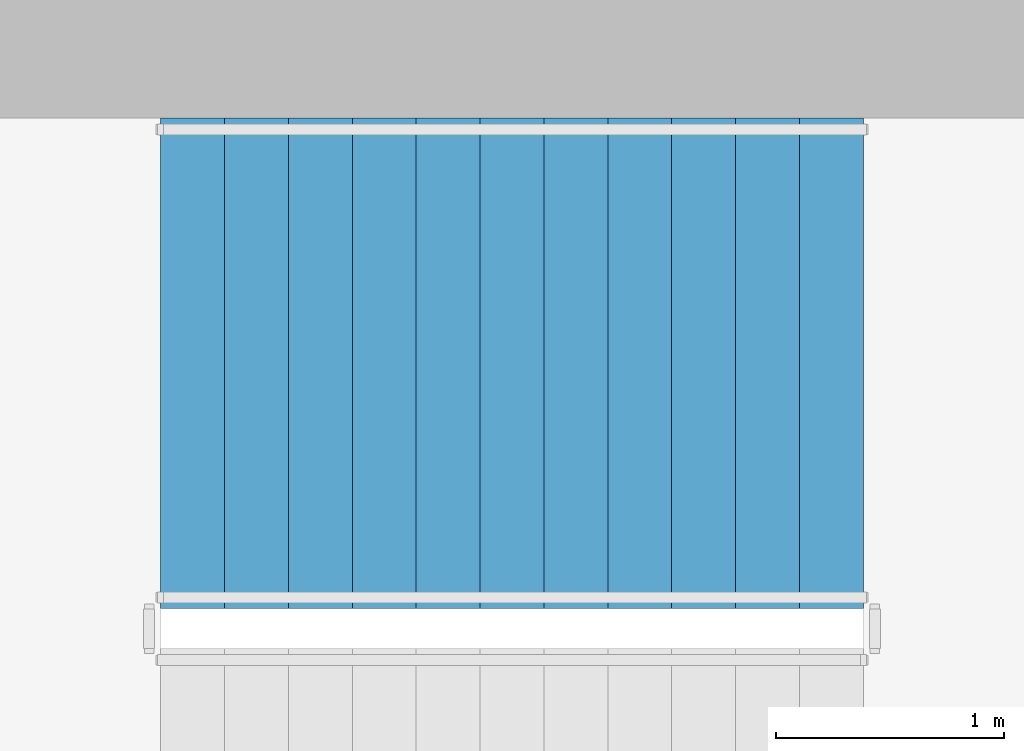
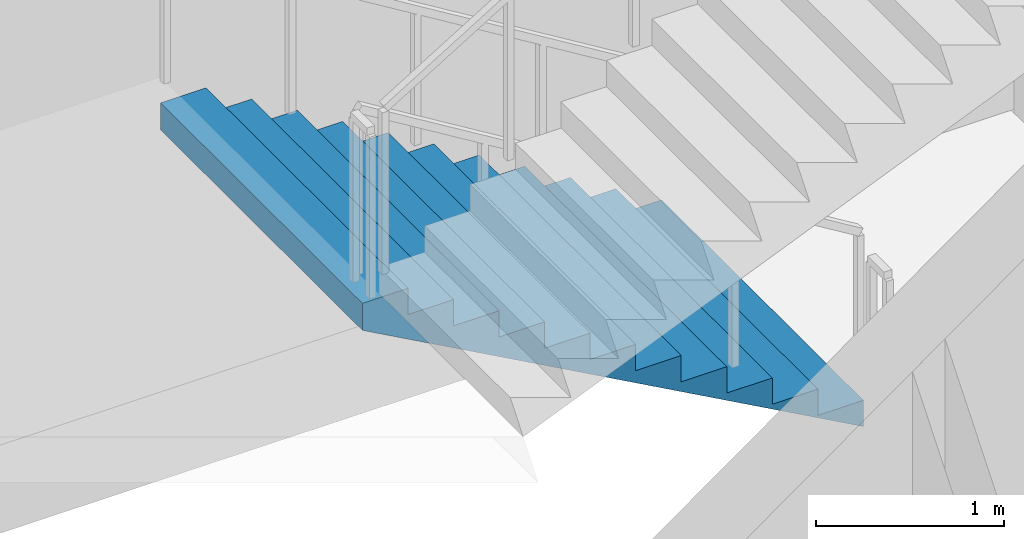
# One storey, part 10 of 15: 1 stair flight, 1 element without a shape of its own.
"""IFC4 building model written with IfcOpenShell, lengths in metres."""

import ifcopenshell
import ifcopenshell.guid

model = None  # the IFC model being written
_history = None  # IfcOwnerHistory: only IFC2X3 demands one
_inside = {}  # id of a spatial element -> (the spatial element, [elements in it])
_under = {}  # id of a project, library or spatial element -> (it, [spatial elements below it])
_declared = {}  # id of a project -> (the project, [libraries it declares])
_typed = {}  # id of a type object -> (the type object, [elements of that type])
_made_of = {}  # id of a material, layer set ... -> (it, [elements and type objects made of it])


def new_model(schema):
    """Start an empty IFC model of exactly this schema.

    Asked for "IFC4X3", IfcOpenShell would pick the latest addendum, in which some entities
    have other attributes; the version numbers below select the first issue.
    IFC2X3 requires an IfcOwnerHistory on every rooted entity: one is made here for all.
    """
    global model, _history
    if schema == "IFC4X3":
        model = ifcopenshell.file(schema_version=(4, 3, 0, 0))
    else:
        model = ifcopenshell.file(schema=schema)
    _inside.clear()
    _under.clear()
    _declared.clear()
    _typed.clear()
    _made_of.clear()
    _history = None
    if model.schema == "IFC2X3":
        org = make("IfcOrganization", Name="unknown")
        user = make(
            "IfcPersonAndOrganization",
            ThePerson=make("IfcPerson", FamilyName="unknown"),
            TheOrganization=org,
        )
        app = make(
            "IfcApplication",
            ApplicationDeveloper=org,
            Version="unknown",
            ApplicationFullName="unknown",
            ApplicationIdentifier="unknown",
        )
        _history = make(
            "IfcOwnerHistory",
            OwningUser=user,
            OwningApplication=app,
            ChangeAction="ADDED",
            CreationDate=0,
        )
    return model


def make(cls, **values):
    """One entity of the class cls with the attributes given. An attribute that is None is left unset."""
    return model.create_entity(
        cls, **{name: value for name, value in values.items() if value is not None}
    )


def rooted(cls, **values):
    """An entity with a GlobalId (a new one), such as an element, a storey or a relation."""
    return make(cls, GlobalId=ifcopenshell.guid.new(), OwnerHistory=_history, **values)


def si_unit(unit_type, name, prefix=None):
    """IfcSIUnit, for example si_unit("LENGTHUNIT", "METRE", prefix="MILLI")."""
    return make("IfcSIUnit", UnitType=unit_type, Prefix=prefix, Name=name)


def assignment(units):
    """IfcUnitAssignment: the units of a project."""
    return None if units is None else make("IfcUnitAssignment", Units=units)


def point(xyz):
    """IfcCartesianPoint."""
    return None if xyz is None else make("IfcCartesianPoint", Coordinates=xyz)


def direction(xyz):
    """IfcDirection."""
    return None if xyz is None else make("IfcDirection", DirectionRatios=xyz)


def frame(location, z_axis=None, x_axis=None):
    """IfcAxis2Placement3D, a coordinate frame: its origin and axes. An axis left out is left unset."""
    return make(
        "IfcAxis2Placement3D",
        Location=point(location),
        Axis=direction(z_axis),
        RefDirection=direction(x_axis),
    )


def origin():
    """The frame at (0, 0, 0) with its axes left unset."""
    return frame((0.0, 0.0, 0.0))


def place(relative_to, where):
    """IfcLocalPlacement: puts the frame where relative to a parent placement (None: the world)."""
    return make(
        "IfcLocalPlacement", PlacementRelTo=relative_to, RelativePlacement=where
    )


def context(
    kind, dimensions, precision=None, world=None, true_north=None, identifier=None
):
    """IfcGeometricRepresentationContext, for example the 3D "Model" context."""
    return make(
        "IfcGeometricRepresentationContext",
        ContextIdentifier=identifier,
        ContextType=kind,
        CoordinateSpaceDimension=dimensions,
        Precision=precision,
        WorldCoordinateSystem=world,
        TrueNorth=true_north,
    )


def subcontext(parent, identifier, kind, view, scale=None):
    """IfcGeometricRepresentationSubContext, for example "Body" below "Model"."""
    return make(
        "IfcGeometricRepresentationSubContext",
        ContextIdentifier=identifier,
        ContextType=kind,
        ParentContext=parent,
        TargetScale=scale,
        TargetView=view,
    )


def project(units=None, contexts=None):
    """IfcProject with its units and contexts."""
    return rooted(
        "IfcProject",
        Name="project",
        RepresentationContexts=contexts,
        UnitsInContext=assignment(units),
    )


def spatial(cls, under=None, at=None, **own):
    """A site, building, storey or space (cls), placed at a placement, below another one or the project."""
    s = rooted(cls, ObjectPlacement=at, **own)
    if under is not None:
        _under.setdefault(under.id(), (under, []))[1].append(s)
    return s


def point_list(points):
    """IfcCartesianPointList2D or 3D."""
    cls = (
        "IfcCartesianPointList2D" if len(points[0]) == 2 else "IfcCartesianPointList3D"
    )
    return make(cls, CoordList=points)


def triangles(points, corners, closed=None, point_numbers=None):
    """IfcTriangulatedFaceSet: each triangle names its three corners, points numbered from 1."""
    return make(
        "IfcTriangulatedFaceSet",
        Coordinates=point_list(points),
        Closed=closed,
        CoordIndex=corners,
        PnIndex=point_numbers,
    )


def shape(context_of_items, identifier, shape_type, items):
    """IfcShapeRepresentation: the items that make up one representation, for example the "Body"."""
    return make(
        "IfcShapeRepresentation",
        ContextOfItems=context_of_items,
        RepresentationIdentifier=identifier,
        RepresentationType=shape_type,
        Items=items,
    )


def material(Name=None, Category=None):
    """IfcMaterial."""
    return make("IfcMaterial", Name=Name, Category=Category)


def made_of(thing, what):
    """Note that an element or type object is made of a material, layer set ...; save() writes the relation."""
    if what is not None:
        _made_of.setdefault(what.id(), (what, []))[1].append(thing)
    return thing


def type_object(cls, material=None, **own):
    """A type object (cls), such as IfcWallType, which elements share."""
    return made_of(rooted(cls, **own), material)


def element(
    cls,
    number,
    at=None,
    inside=None,
    cuts=None,
    type_object=None,
    material=None,
    context=None,
    identifier="Body",
    shape_type=None,
    held_by="IfcProductDefinitionShape",
    body=None,
    shapes=None,
    **own,
):
    """One element of the class cls, such as IfcWall. Its Tag is "e" and its number.

    at: its placement. inside: the storey or other place that contains it. cuts: it is an
    opening in that element (IfcRelVoidsElement). A single representation is given by context,
    identifier, shape_type and body (its items); several are given by shapes. held_by: the class
    of the entity that holds the representations. save() writes the other relations.
    """
    e = rooted(cls, Tag="e%d" % number, ObjectPlacement=at, **own)
    if body is not None:
        shapes = [shape(context, identifier, shape_type, body)]
    if shapes is not None:
        e.Representation = make(held_by, Representations=shapes)
    if inside is not None:
        _inside.setdefault(inside.id(), (inside, []))[1].append(e)
    if cuts is not None:
        rooted(
            "IfcRelVoidsElement", RelatingBuildingElement=cuts, RelatedOpeningElement=e
        )
    if type_object is not None:
        _typed.setdefault(type_object.id(), (type_object, []))[1].append(e)
    return made_of(e, material)


def aggregate(whole, parts):
    """IfcRelAggregates: a whole, such as a stair, and the parts it consists of."""
    return rooted("IfcRelAggregates", RelatingObject=whole, RelatedObjects=parts)


def save(model, path):
    """Write the relations noted so far, then the file.

    IfcRelAggregates (storeys below a building ...), IfcRelContainedInSpatialStructure (elements
    in a storey), IfcRelDefinesByType, IfcRelAssociatesMaterial and IfcRelDeclares: one each for
    every whole, place, type object, material and project.
    """
    for whole, parts in _under.values():
        aggregate(whole, parts)
    for where, things in _inside.values():
        rooted(
            "IfcRelContainedInSpatialStructure",
            RelatedElements=things,
            RelatingStructure=where,
        )
    for kind, things in _typed.values():
        rooted("IfcRelDefinesByType", RelatedObjects=things, RelatingType=kind)
    for what, things in _made_of.values():
        rooted("IfcRelAssociatesMaterial", RelatedObjects=things, RelatingMaterial=what)
    for by, libraries in _declared.values():
        rooted("IfcRelDeclares", RelatingContext=by, RelatedDefinitions=libraries)
    model.write(path)


model = new_model("IFC4")

# Units and contexts
model_context = context("Model", 3, precision=1e-05, world=origin(), true_north=direction((0.0, 1.0)))
body_context = subcontext(model_context, "Body", "Model", "MODEL_VIEW")
ifc_project = project(units=[si_unit("LENGTHUNIT", "METRE"), si_unit("AREAUNIT", "SQUARE_METRE"), si_unit("VOLUMEUNIT", "CUBIC_METRE"), si_unit("PLANEANGLEUNIT", "RADIAN"), si_unit("MASSUNIT", "GRAM", prefix="KILO")], contexts=[model_context])

# Site, building, storey
site_placement = place(None, origin())
site = spatial("IfcSite", under=ifc_project, at=site_placement, CompositionType="ELEMENT")
building_placement = place(site_placement, origin())
building = spatial("IfcBuilding", under=site, at=building_placement, Name="Cypress Arch Tower", CompositionType="ELEMENT")
storey_placement = place(building_placement, frame((0.0, 0.0, 317.199951171875)))
storey = spatial("IfcBuildingStorey", under=building, at=storey_placement, Name="L72", CompositionType="ELEMENT", Elevation=317.199951171875)

# Stair, stair flight
ifc_material_1 = material(Name="Concrete C40/50", Category="concrete")
stair_type = type_object("IfcStairType", Name="Exit stair ES1708-215", PredefinedType="HALF_TURN_STAIR", material=ifc_material_1)
stair_placement = place(storey_placement, origin())
stair = element("IfcStair", 1, at=stair_placement, inside=storey, type_object=stair_type, Name="L72 Exit stair B", PredefinedType="HALF_TURN_STAIR")
ifc_material_2 = material(Name="Concrete C40/50", Category="concrete")
stair_flight_type = type_object("IfcStairFlightType", Name="Exit stair flight ES1708-215", PredefinedType="STRAIGHT", material=ifc_material_2)
stair_flight_placement = place(storey_placement, frame((-22.27490234375, 13.72509765625, 0.0), z_axis=(0.0, 0.0, 1.0), x_axis=(-1.0, 0.0, 0.0)))
stair_flight = element("IfcStairFlight", 2, at=stair_flight_placement, type_object=stair_flight_type, Name="B flight 1", NumberOfRisers=12, NumberOfTreads=11, PredefinedType="STRAIGHT", RiserHeight=0.170833333, TreadLength=0.28, context=body_context, shape_type="Tessellation", body=[
    triangles([(0.0, -1.074951171875, 0.0), (0.000244140625, -1.074951171875, 0.01904296875), (0.000244140625, -1.074951171875, 0.0380859375), (0.00048828125, -1.074951171875, 0.056884765625), (0.00048828125, -1.074951171875, 0.075927734375), (0.00048828125, -1.074951171875, 0.094970703125), (0.00048828125, -1.074951171875, 0.114013671875), (0.000244140625, -1.074951171875, 0.1328125), (0.000244140625, -1.074951171875, 0.15185546875), (0.0, -1.074951171875, 0.1708984375), (0.280029296875, -1.074951171875, 0.1708984375), (0.280029296875, -1.074951171875, 0.341552734375), (0.56005859375, -1.074951171875, 0.341552734375), (0.56005859375, -1.074951171875, 0.512451171875), (0.840087890625, -1.074951171875, 0.512451171875), (0.840087890625, -1.074951171875, 0.683349609375), (1.1201171875, -1.074951171875, 0.683349609375), (1.1201171875, -1.074951171875, 0.854248046875), (1.39990234375, -1.074951171875, 0.854248046875), (1.39990234375, -1.074951171875, 1.02490234375), (1.679931640625, -1.074951171875, 1.02490234375), (1.679931640625, -1.074951171875, 1.19580078125), (1.9599609375, -1.074951171875, 1.19580078125), (1.9599609375, -1.074951171875, 1.36669921875), (2.239990234375, -1.074951171875, 1.36669921875), (2.239990234375, -1.074951171875, 1.53759765625), (2.52001953125, -1.074951171875, 1.53759765625), (2.52001953125, -1.074951171875, 1.708251953125), (2.800048828125, -1.074951171875, 1.708251953125), (2.800048828125, -1.074951171875, 1.879150390625), (3.080078125, -1.074951171875, 1.879150390625), (3.079833984375, -1.074951171875, 1.859619140625), (3.079833984375, -1.074951171875, 1.840087890625), (3.07958984375, -1.074951171875, 1.820556640625), (3.07958984375, -1.074951171875, 1.801025390625), (3.07958984375, -1.074951171875, 1.78173828125), (3.07958984375, -1.074951171875, 1.76220703125), (3.079833984375, -1.074951171875, 1.74267578125), (3.079833984375, -1.074951171875, 1.72314453125), (3.080078125, -1.074951171875, 1.70361328125), (3.080078125, 1.074951171875, 1.70361328125), (3.079833984375, 1.074951171875, 1.72314453125), (3.079833984375, 1.074951171875, 1.74267578125), (3.07958984375, 1.074951171875, 1.76220703125), (3.07958984375, 1.074951171875, 1.78173828125), (3.07958984375, 1.074951171875, 1.801025390625), (3.07958984375, 1.074951171875, 1.820556640625), (3.079833984375, 1.074951171875, 1.840087890625), (3.079833984375, 1.074951171875, 1.859619140625), (3.080078125, 1.074951171875, 1.879150390625), (2.800048828125, 1.074951171875, 1.879150390625), (2.800048828125, 1.074951171875, 1.708251953125), (2.52001953125, 1.074951171875, 1.708251953125), (2.52001953125, 1.074951171875, 1.53759765625), (2.239990234375, 1.074951171875, 1.53759765625), (2.239990234375, 1.074951171875, 1.36669921875), (1.9599609375, 1.074951171875, 1.36669921875), (1.9599609375, 1.074951171875, 1.19580078125), (1.679931640625, 1.074951171875, 1.19580078125), (1.679931640625, 1.074951171875, 1.02490234375), (1.39990234375, 1.074951171875, 1.02490234375), (1.39990234375, 1.074951171875, 0.854248046875), (1.1201171875, 1.074951171875, 0.854248046875), (1.1201171875, 1.074951171875, 0.683349609375), (0.840087890625, 1.074951171875, 0.683349609375), (0.840087890625, 1.074951171875, 0.512451171875), (0.56005859375, 1.074951171875, 0.512451171875), (0.56005859375, 1.074951171875, 0.341552734375), (0.280029296875, 1.074951171875, 0.341552734375), (0.280029296875, 1.074951171875, 0.1708984375), (0.0, 1.074951171875, 0.1708984375), (0.000244140625, 1.074951171875, 0.15185546875), (0.000244140625, 1.074951171875, 0.1328125), (0.00048828125, 1.074951171875, 0.114013671875), (0.00048828125, 1.074951171875, 0.094970703125), (0.00048828125, 1.074951171875, 0.075927734375), (0.00048828125, 1.074951171875, 0.056884765625), (0.000244140625, 1.074951171875, 0.0380859375), (0.000244140625, 1.074951171875, 0.01904296875), (0.0, 1.074951171875, 0.0)], [[40, 39, 30], [39, 38, 30], [38, 37, 30], [37, 36, 30], [36, 35, 30], [35, 34, 30], [34, 33, 30], [33, 32, 30], [32, 31, 30], [19, 18, 17], [27, 26, 25], [25, 24, 23], [23, 22, 21], [17, 16, 15], [15, 14, 13], [10, 9, 11], [9, 8, 11], [8, 7, 11], [7, 6, 11], [6, 5, 11], [5, 4, 11], [4, 3, 11], [3, 2, 11], [2, 1, 11], [29, 28, 27], [21, 20, 19], [13, 12, 11], [40, 30, 29], [40, 29, 27], [40, 27, 25], [40, 25, 23], [40, 23, 21], [40, 21, 19], [40, 19, 17], [40, 17, 15], [40, 15, 13], [1, 40, 13], [13, 11, 1], [41, 51, 42], [42, 51, 43], [43, 51, 44], [44, 51, 45], [45, 51, 46], [46, 51, 47], [47, 51, 48], [48, 51, 49], [49, 51, 50], [62, 64, 63], [54, 56, 55], [56, 58, 57], [58, 60, 59], [64, 66, 65], [66, 68, 67], [71, 70, 72], [72, 70, 73], [73, 70, 74], [74, 70, 75], [75, 70, 76], [76, 70, 77], [77, 70, 78], [78, 70, 79], [79, 70, 80], [52, 54, 53], [60, 62, 61], [68, 70, 69], [41, 52, 51], [41, 54, 52], [41, 56, 54], [41, 58, 56], [41, 60, 58], [41, 62, 60], [41, 64, 62], [41, 66, 64], [41, 68, 66], [80, 68, 41], [68, 80, 70], [41, 42, 39], [41, 39, 40], [42, 43, 38], [42, 38, 39], [43, 44, 37], [43, 37, 38], [44, 45, 36], [44, 36, 37], [45, 46, 35], [45, 35, 36], [46, 47, 34], [46, 34, 35], [47, 48, 33], [47, 33, 34], [48, 49, 32], [48, 32, 33], [49, 50, 31], [49, 31, 32], [50, 51, 30], [50, 30, 31], [51, 52, 29], [51, 29, 30], [52, 53, 28], [52, 28, 29], [53, 54, 27], [53, 27, 28], [54, 55, 26], [54, 26, 27], [55, 56, 25], [55, 25, 26], [56, 57, 24], [56, 24, 25], [57, 58, 23], [57, 23, 24], [58, 59, 22], [58, 22, 23], [59, 60, 21], [59, 21, 22], [60, 61, 20], [60, 20, 21], [61, 62, 19], [61, 19, 20], [62, 63, 18], [62, 18, 19], [63, 64, 17], [63, 17, 18], [64, 65, 16], [64, 16, 17], [65, 66, 15], [65, 15, 16], [66, 67, 14], [66, 14, 15], [67, 68, 13], [67, 13, 14], [68, 69, 12], [68, 12, 13], [69, 70, 11], [69, 11, 12], [70, 71, 10], [70, 10, 11], [71, 72, 9], [71, 9, 10], [72, 73, 8], [72, 8, 9], [73, 74, 7], [73, 7, 8], [74, 75, 6], [74, 6, 7], [75, 76, 5], [75, 5, 6], [76, 77, 4], [76, 4, 5], [77, 78, 3], [77, 3, 4], [78, 79, 2], [78, 2, 3], [79, 80, 1], [79, 1, 2], [80, 41, 40], [80, 40, 1]], closed=True),
])
aggregate(stair, [stair_flight])

save(model, "model.ifc")
